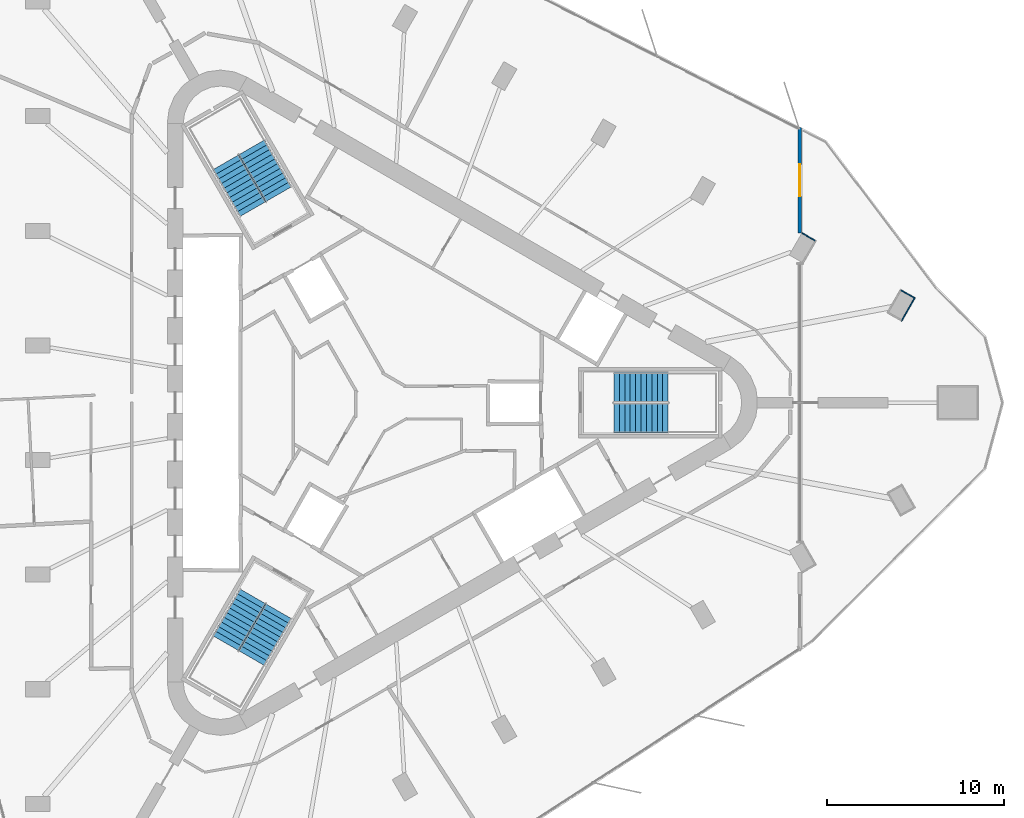
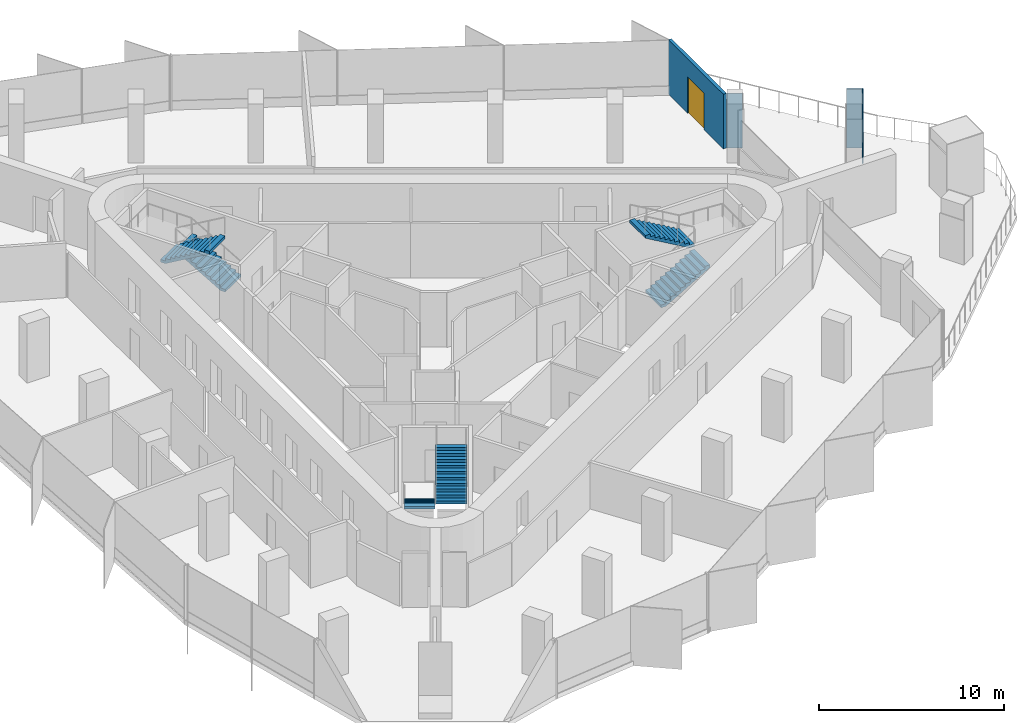
# One storey, part 11 of 12: 6 stair flights, 4 walls, 1 door, 1 opening, 3 elements without a shape of their own.
"""IFC4 building model written with IfcOpenShell, lengths in metres."""

from ifc_helpers import new_model, si_unit, direction, frame, frame_2d, origin, place, context, subcontext, project, spatial, polyline, rectangle, outline, extrude, material, layer, layer_set, type_object, element, fill, aggregate, save


model = new_model("IFC4")

# Units and contexts
model_context = context("Model", 3, precision=1e-05, world=origin(), true_north=direction((0.0, 1.0)))
body_context = subcontext(model_context, "Body", "Model", "MODEL_VIEW")
ifc_project = project(units=[si_unit("LENGTHUNIT", "METRE"), si_unit("AREAUNIT", "SQUARE_METRE"), si_unit("VOLUMEUNIT", "CUBIC_METRE"), si_unit("PLANEANGLEUNIT", "RADIAN"), si_unit("MASSUNIT", "GRAM", prefix="KILO")], contexts=[model_context])

# Site, building, storey
site_placement = place(None, origin())
site = spatial("IfcSite", under=ifc_project, at=site_placement, CompositionType="ELEMENT")
building_placement = place(site_placement, origin())
building = spatial("IfcBuilding", under=site, at=building_placement, Name="Tanit Gate Tower", CompositionType="ELEMENT")
storey_placement = place(building_placement, frame((0.0, 0.0, 361.10009765625)))
storey = spatial("IfcBuildingStorey", under=building, at=storey_placement, Name="L82", CompositionType="ELEMENT", Elevation=361.10009765625)

# Walls
ifc_material_1 = material(Name="Bronze anodised aluminium cladding", Category="aluminium")
ifc_layer_1 = layer(ifc_material_1, 0.06005859375)
ifc_layer_set_1 = layer_set([ifc_layer_1], Name="Column casing bronze 60")
wall_type_1 = type_object("IfcWallType", Name="Column casing bronze 60", PredefinedType="SOLIDWALL", material=ifc_layer_set_1)
wall_1_placement = place(storey_placement, frame((29.3095703125, 4.6083984375, 0.0), z_axis=(0.0, 0.0, 1.0), x_axis=(0.499991248344, 0.866030456496, 0.0)))
element("IfcWall", 1, at=wall_1_placement, inside=storey, type_object=wall_type_1, Name="Column casing L82 P-NE1.L2", PredefinedType="SOLIDWALL", context=body_context, shape_type="SweptSolid", body=[
    extrude(rectangle(XDim=1.52001953125, YDim=0.06005859375, at=frame_2d((0.760009765625, 0.0))), origin(), (0.0, 0.0, 1.0), 3.89990234375),
])
wall_2_placement = place(storey_placement, frame((30.02880859375, 5.913818359375, 0.0), z_axis=(0.0, 0.0, 1.0), x_axis=(-0.866061263272, 0.499937884402, 0.0)))
element("IfcWall", 2, at=wall_2_placement, inside=storey, type_object=wall_type_1, Name="Column casing L82 P-NE1.S1", PredefinedType="SOLIDWALL", context=body_context, shape_type="SweptSolid", body=[
    extrude(rectangle(XDim=0.85009765625, YDim=0.06005859375, at=frame_2d((0.425048828125, 0.0))), origin(), (0.0, 0.0, 1.0), 3.89990234375),
])
wall_3_placement = place(storey_placement, frame((24.430908203125, 9.145751953125, 0.0), z_axis=(0.0, 0.0, 1.0), x_axis=(-0.866061263272, 0.499937884402, 0.0)))
element("IfcWall", 3, at=wall_3_placement, inside=storey, type_object=wall_type_1, Name="Column casing L82 P-NE2.S1", PredefinedType="SOLIDWALL", context=body_context, shape_type="SweptSolid", body=[
    extrude(rectangle(XDim=0.85009765625, YDim=0.06005859375, at=frame_2d((0.425048828125, 0.0))), origin(), (0.0, 0.0, 1.0), 3.599853515625),
])

# Wall, opening, door
ifc_material_2 = material(Name="Concrete C30/37 rendered", Category="concrete")
ifc_layer_2 = layer(ifc_material_2, 0.199951171875)
ifc_layer_set_2 = layer_set([ifc_layer_2], Name="Facade wall 200 rendered")
wall_type_2 = type_object("IfcWallType", Name="Facade wall 200 rendered", PredefinedType="SOLIDWALL", material=ifc_layer_set_2)
wall_4_placement = place(storey_placement, frame((23.580078125, 15.51611328125, 0.0), z_axis=(0.0, 0.0, 1.0), x_axis=(0.0, -1.0, 0.0)))
wall_4 = element("IfcWall", 4, at=wall_4_placement, inside=storey, type_object=wall_type_2, Name="Facade wall L82 NOTCH1.1", PredefinedType="SOLIDWALL", context=body_context, shape_type="SweptSolid", body=[
    extrude(rectangle(XDim=5.94384765625, YDim=0.199951171875, at=frame_2d((2.971923828125, 0.0))), origin(), (0.0, 0.0, 1.0), 3.599853515625),
])
opening_placement = place(wall_4_placement, frame((2.072021484375, 0.0, 0.0)))
opening = element("IfcOpeningElement", 5, at=opening_placement, cuts=wall_4, Name="Opening D2", PredefinedType="OPENING", context=body_context, shape_type="SweptSolid", body=[
    extrude(rectangle(XDim=1.800048828125, YDim=2.39990234375, at=frame_2d((0.89990234375, 1.199951171875))), frame((0.0, 0.10986328125, 0.0), z_axis=(0.0, -1.0, 0.0), x_axis=(1.0, 0.0, 0.0)), (0.0, 0.0, 1.0), 0.219970703125),
])
ifc_material_3 = material(Name="Aluminium bronze anodised and glass", Category="aluminium")
door_type = type_object("IfcDoorType", Name="Terrace door double 1800x2400", OperationType="DOUBLE_DOOR_SINGLE_SWING", PredefinedType="DOOR", material=ifc_material_3)
door_placement = place(opening_placement, frame((1.800048828125, 0.0, 0.0), z_axis=(0.0, 0.0, 1.0), x_axis=(-1.0, 0.0, 0.0)))
door = element("IfcDoor", 6, at=door_placement, inside=storey, type_object=door_type, Name="Balcony door", OperationType="SINGLE_SWING_RIGHT", OverallHeight=2.39990234375, OverallWidth=1.800048828125, PredefinedType="DOOR", context=body_context, shape_type="SweptSolid", body=[
    extrude(rectangle(XDim=1.800048828125, YDim=2.39990234375, at=frame_2d((0.89990234375, 1.199951171875))), frame((0.0, 0.02490234375, 0.0), z_axis=(0.0, -1.0, 0.0), x_axis=(1.0, 0.0, 0.0)), (0.0, 0.0, 1.0), 0.050048828125),
])
fill(opening, door)

# Stair, stair flights
ifc_material_4 = material(Name="Concrete C40/50", Category="concrete")
stair_type = type_object("IfcStairType", Name="INT-STAIR-EXIT", PredefinedType="HALF_TURN_STAIR", material=ifc_material_4)
stair_1_placement = place(storey_placement, origin())
stair_1 = element("IfcStair", 7, at=stair_1_placement, inside=storey, type_object=stair_type, Name="L82 STAIR S1", PredefinedType="HALF_TURN_STAIR")
ifc_material_5 = material(Name="Concrete C40/50", Category="concrete")
stair_flight_type = type_object("IfcStairFlightType", Name="INT-STAIR-FLIGHT", PredefinedType="STRAIGHT", material=ifc_material_5)
stair_flight_1_placement = place(storey_placement, frame((13.094970703125, -0.8525390625, 0.0), z_axis=(0.0, 0.0, 1.0), x_axis=(1.0, 0.0, 0.0)))
stair_flight_1 = element("IfcStairFlight", 8, at=stair_flight_1_placement, type_object=stair_flight_type, Name="S1 flight 1", NumberOfRisers=11, NumberOfTreads=10, PredefinedType="STRAIGHT", RiserHeight=0.177272727, TreadLength=0.3051, context=body_context, shape_type="SweptSolid", body=[
    extrude(outline(polyline([(0.0, 0.0), (0.0, 0.17724609375), (0.30517578125, 0.17724609375), (0.30517578125, 0.3544921875), (0.610107421875, 0.3544921875), (0.610107421875, 0.53173828125), (0.915283203125, 0.53173828125), (0.915283203125, 0.708984375), (1.220458984375, 0.708984375), (1.220458984375, 0.886474609375), (1.525390625, 0.886474609375), (1.525390625, 1.063720703125), (1.83056640625, 1.063720703125), (1.83056640625, 1.240966796875), (2.1357421875, 1.240966796875), (2.1357421875, 1.418212890625), (2.44091796875, 1.418212890625), (2.44091796875, 1.595458984375), (2.745849609375, 1.595458984375), (2.745849609375, 1.772705078125), (3.051025390625, 1.772705078125), (3.051025390625, 1.949951171875), (3.051025390625, 1.599365234375), (0.29833984375, 0.0), (0.0, 0.0)])), frame((0.0, 0.84765625, 0.0), z_axis=(0.0, -1.0, 0.0), x_axis=(1.0, 0.0, 0.0)), (0.0, 0.0, 1.0), 1.695068359375),
])
stair_flight_2_placement = place(storey_placement, frame((16.14599609375, 0.8525390625, 1.949951171875), z_axis=(0.0, 0.0, 1.0), x_axis=(-1.0, 0.0, 0.0)))
stair_flight_2 = element("IfcStairFlight", 9, at=stair_flight_2_placement, type_object=stair_flight_type, Name="S1 flight 2", NumberOfRisers=11, NumberOfTreads=10, PredefinedType="STRAIGHT", RiserHeight=0.177272727, TreadLength=0.3051, context=body_context, shape_type="SweptSolid", body=[
    extrude(outline(polyline([(0.0, 0.0), (0.0, 0.17724609375), (0.30517578125, 0.17724609375), (0.30517578125, 0.3544921875), (0.610107421875, 0.3544921875), (0.610107421875, 0.53173828125), (0.915283203125, 0.53173828125), (0.915283203125, 0.708984375), (1.220458984375, 0.708984375), (1.220458984375, 0.886474609375), (1.525390625, 0.886474609375), (1.525390625, 1.063720703125), (1.83056640625, 1.063720703125), (1.83056640625, 1.240966796875), (2.1357421875, 1.240966796875), (2.1357421875, 1.418212890625), (2.44091796875, 1.418212890625), (2.44091796875, 1.595458984375), (2.745849609375, 1.595458984375), (2.745849609375, 1.772705078125), (3.051025390625, 1.772705078125), (3.051025390625, 1.949951171875), (3.051025390625, 1.599365234375), (0.29833984375, 0.0), (0.0, 0.0)])), frame((0.0, 0.84765625, 0.0), z_axis=(0.0, -1.0, 0.0), x_axis=(1.0, 0.0, 0.0)), (0.0, 0.0, 1.0), 1.695068359375),
])
aggregate(stair_1, [stair_flight_1, stair_flight_2])

stair_2_placement = place(storey_placement, origin())
stair_2 = element("IfcStair", 10, at=stair_2_placement, inside=storey, type_object=stair_type, Name="L82 STAIR S2", PredefinedType="HALF_TURN_STAIR")
stair_flight_3_placement = place(storey_placement, frame((-5.808349609375, 11.766357421875, 0.0), z_axis=(0.0, 0.0, 1.0), x_axis=(-0.5, 0.866025403784, 0.0)))
stair_flight_3 = element("IfcStairFlight", 11, at=stair_flight_3_placement, type_object=stair_flight_type, Name="S2 flight 1", NumberOfRisers=11, NumberOfTreads=10, PredefinedType="STRAIGHT", RiserHeight=0.177272727, TreadLength=0.30492, context=body_context, shape_type="SweptSolid", body=[
    extrude(outline(polyline([(0.0, 0.0), (0.0, 0.17724609375), (0.304931640625, 0.17724609375), (0.304931640625, 0.3544921875), (0.60986328125, 0.3544921875), (0.60986328125, 0.53173828125), (0.914794921875, 0.53173828125), (0.914794921875, 0.708984375), (1.2197265625, 0.708984375), (1.2197265625, 0.886474609375), (1.524658203125, 0.886474609375), (1.524658203125, 1.063720703125), (1.82958984375, 1.063720703125), (1.82958984375, 1.240966796875), (2.134521484375, 1.240966796875), (2.134521484375, 1.418212890625), (2.439453125, 1.418212890625), (2.439453125, 1.595458984375), (2.744384765625, 1.595458984375), (2.744384765625, 1.772705078125), (3.04931640625, 1.772705078125), (3.04931640625, 1.949951171875), (3.04931640625, 1.599365234375), (0.29833984375, 0.0), (0.0, 0.0)])), frame((0.0, 0.84716796875, 0.0), z_axis=(0.0, -1.0, 0.0), x_axis=(1.0, 0.0, 0.0)), (0.0, 0.0, 1.0), 1.694091796875),
])
stair_flight_4_placement = place(storey_placement, frame((-8.810302734375, 13.553955078125, 1.949951171875), z_axis=(0.0, 0.0, 1.0), x_axis=(0.5, -0.866025403784, 0.0)))
stair_flight_4 = element("IfcStairFlight", 12, at=stair_flight_4_placement, type_object=stair_flight_type, Name="S2 flight 2", NumberOfRisers=11, NumberOfTreads=10, PredefinedType="STRAIGHT", RiserHeight=0.177272727, TreadLength=0.30492, context=body_context, shape_type="SweptSolid", body=[
    extrude(outline(polyline([(0.0, 0.0), (0.0, 0.17724609375), (0.304931640625, 0.17724609375), (0.304931640625, 0.3544921875), (0.60986328125, 0.3544921875), (0.60986328125, 0.53173828125), (0.914794921875, 0.53173828125), (0.914794921875, 0.708984375), (1.2197265625, 0.708984375), (1.2197265625, 0.886474609375), (1.524658203125, 0.886474609375), (1.524658203125, 1.063720703125), (1.82958984375, 1.063720703125), (1.82958984375, 1.240966796875), (2.134521484375, 1.240966796875), (2.134521484375, 1.418212890625), (2.439453125, 1.418212890625), (2.439453125, 1.595458984375), (2.744384765625, 1.595458984375), (2.744384765625, 1.772705078125), (3.04931640625, 1.772705078125), (3.04931640625, 1.949951171875), (3.04931640625, 1.599365234375), (0.29833984375, 0.0), (0.0, 0.0)])), frame((0.0, 0.84716796875, 0.0), z_axis=(0.0, -1.0, 0.0), x_axis=(1.0, 0.0, 0.0)), (0.0, 0.0, 1.0), 1.694091796875),
])
aggregate(stair_2, [stair_flight_3, stair_flight_4])

stair_3_placement = place(storey_placement, origin())
stair_3 = element("IfcStair", 13, at=stair_3_placement, inside=storey, type_object=stair_type, Name="L82 STAIR S3", PredefinedType="HALF_TURN_STAIR")
stair_flight_5_placement = place(storey_placement, frame((-7.285888671875, -10.914306640625, 0.0), z_axis=(0.0, 0.0, 1.0), x_axis=(-0.5, -0.866025403784, 0.0)))
stair_flight_5 = element("IfcStairFlight", 14, at=stair_flight_5_placement, type_object=stair_flight_type, Name="S3 flight 1", NumberOfRisers=11, NumberOfTreads=10, PredefinedType="STRAIGHT", RiserHeight=0.177272727, TreadLength=0.3051, context=body_context, shape_type="SweptSolid", body=[
    extrude(outline(polyline([(0.0, 0.0), (0.0, 0.17724609375), (0.30517578125, 0.17724609375), (0.30517578125, 0.3544921875), (0.610107421875, 0.3544921875), (0.610107421875, 0.53173828125), (0.915283203125, 0.53173828125), (0.915283203125, 0.708984375), (1.220458984375, 0.708984375), (1.220458984375, 0.886474609375), (1.525390625, 0.886474609375), (1.525390625, 1.063720703125), (1.83056640625, 1.063720703125), (1.83056640625, 1.240966796875), (2.1357421875, 1.240966796875), (2.1357421875, 1.418212890625), (2.44091796875, 1.418212890625), (2.44091796875, 1.595458984375), (2.745849609375, 1.595458984375), (2.745849609375, 1.772705078125), (3.051025390625, 1.772705078125), (3.051025390625, 1.949951171875), (3.051025390625, 1.599365234375), (0.29833984375, 0.0), (0.0, 0.0)])), frame((0.0, 0.84765625, 0.0), z_axis=(0.0, -1.0, 0.0), x_axis=(1.0, 0.0, 0.0)), (0.0, 0.0, 1.0), 1.695068359375),
])
stair_flight_6_placement = place(storey_placement, frame((-7.334716796875, -14.4091796875, 1.949951171875), z_axis=(0.0, 0.0, 1.0), x_axis=(0.5, 0.866025403784, 0.0)))
stair_flight_6 = element("IfcStairFlight", 15, at=stair_flight_6_placement, type_object=stair_flight_type, Name="S3 flight 2", NumberOfRisers=11, NumberOfTreads=10, PredefinedType="STRAIGHT", RiserHeight=0.177272727, TreadLength=0.3051, context=body_context, shape_type="SweptSolid", body=[
    extrude(outline(polyline([(0.0, 0.0), (0.0, 0.17724609375), (0.30517578125, 0.17724609375), (0.30517578125, 0.3544921875), (0.610107421875, 0.3544921875), (0.610107421875, 0.53173828125), (0.915283203125, 0.53173828125), (0.915283203125, 0.708984375), (1.220458984375, 0.708984375), (1.220458984375, 0.886474609375), (1.525390625, 0.886474609375), (1.525390625, 1.063720703125), (1.83056640625, 1.063720703125), (1.83056640625, 1.240966796875), (2.1357421875, 1.240966796875), (2.1357421875, 1.418212890625), (2.44091796875, 1.418212890625), (2.44091796875, 1.595458984375), (2.745849609375, 1.595458984375), (2.745849609375, 1.772705078125), (3.051025390625, 1.772705078125), (3.051025390625, 1.949951171875), (3.051025390625, 1.599365234375), (0.29833984375, 0.0), (0.0, 0.0)])), frame((0.0, 0.84765625, 0.0), z_axis=(0.0, -1.0, 0.0), x_axis=(1.0, 0.0, 0.0)), (0.0, 0.0, 1.0), 1.695068359375),
])
aggregate(stair_3, [stair_flight_5, stair_flight_6])

save(model, "model.ifc")
